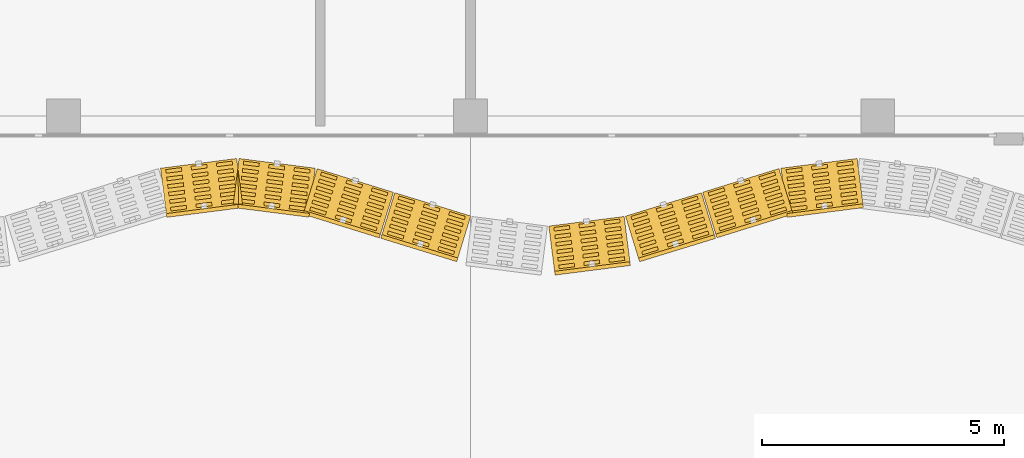
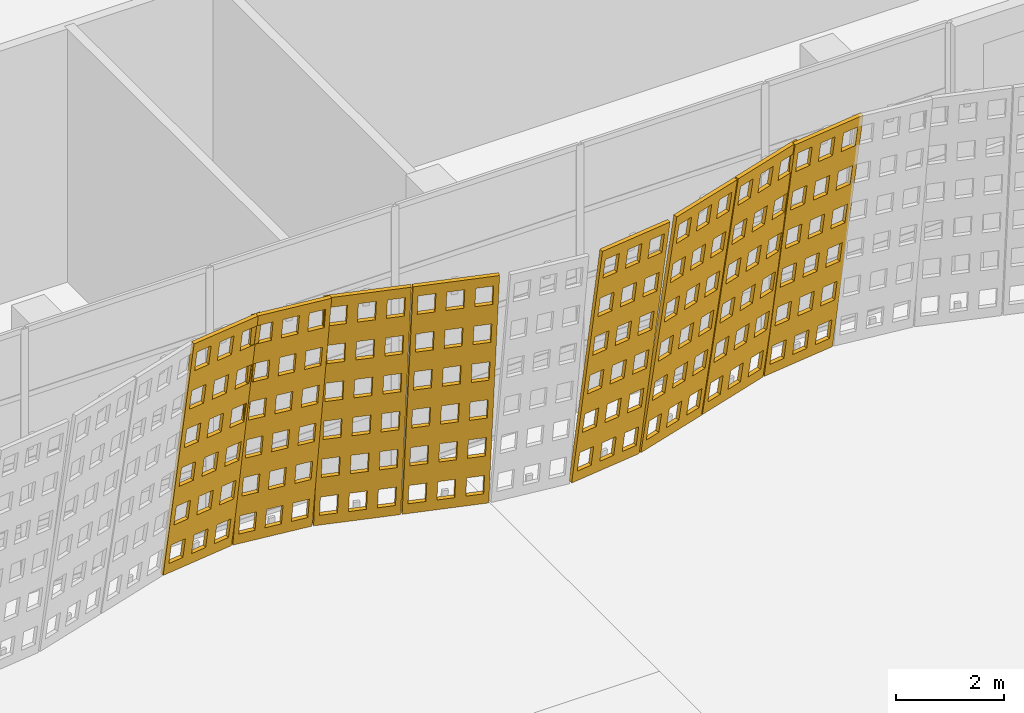
# One storey, part 195 of 210: 8 coverings.
"""IFC4 building model written with IfcOpenShell, lengths in metres."""

from ifc_helpers import new_model, si_unit, direction, frame, origin, place, context, subcontext, project, spatial, polyline, outline, extrude, material, layer, layer_set, type_object, element, save


model = new_model("IFC4")

# Units and contexts
model_context = context("Model", 3, precision=1e-05, world=origin(), true_north=direction((0.0, 1.0)))
body_context = subcontext(model_context, "Body", "Model", "MODEL_VIEW")
ifc_project = project(units=[si_unit("LENGTHUNIT", "METRE"), si_unit("AREAUNIT", "SQUARE_METRE"), si_unit("VOLUMEUNIT", "CUBIC_METRE"), si_unit("PLANEANGLEUNIT", "RADIAN"), si_unit("MASSUNIT", "GRAM", prefix="KILO")], contexts=[model_context])

# Site, building, storey
site_placement = place(None, origin())
site = spatial("IfcSite", under=ifc_project, at=site_placement, CompositionType="ELEMENT")
building_placement = place(site_placement, origin())
building = spatial("IfcBuilding", under=site, at=building_placement, Name="Rain Tree Exposition and Congress Centre", CompositionType="ELEMENT")
storey_placement = place(building_placement, origin())
storey = spatial("IfcBuildingStorey", under=building, at=storey_placement, Name="L00", CompositionType="ELEMENT", Elevation=0.0)

# Coverings
ifc_material = material(Name="Perforated terracotta", Category="masonry")
ifc_layer = layer(ifc_material, 0.080078125)
ifc_layer_set = layer_set([ifc_layer], Name="Perforated terracotta")
covering_type = type_object("IfcCoveringType", Name="Terracotta screen 80", PredefinedType="CLADDING", material=ifc_layer_set)
covering_1_placement = place(storey_placement, frame((228.800048828125, 74.445068359375, 0.0), z_axis=(-0.125405134464, 0.978771781185, 0.162109076259), x_axis=(-0.991891686382, -0.127086122318, 0.0)))
element("IfcCovering", 1, at=covering_1_placement, inside=storey, type_object=covering_type, Name="concourse/screen/L00/144", PredefinedType="CLADDING", context=body_context, shape_type="SweptSolid", body=[
    extrude(outline(polyline([(-0.014892578125, 0.0), (-1.59814453125, 0.0), (-1.59814453125, 5.813720703125), (-0.014892578125, 5.813720703125), (-0.014892578125, 0.0)]), holes=[polyline([(-0.115234375, 0.25), (-0.115234375, 0.718994140625), (-0.4423828125, 0.718994140625), (-0.4423828125, 0.25), (-0.115234375, 0.25)]), polyline([(-0.115234375, 1.218994140625), (-0.115234375, 1.687744140625), (-0.4423828125, 1.687744140625), (-0.4423828125, 1.218994140625), (-0.115234375, 1.218994140625)]), polyline([(-0.115234375, 2.18798828125), (-0.115234375, 2.65673828125), (-0.4423828125, 2.65673828125), (-0.4423828125, 2.18798828125), (-0.115234375, 2.18798828125)]), polyline([(-0.115234375, 3.156982421875), (-0.115234375, 3.625732421875), (-0.4423828125, 3.625732421875), (-0.4423828125, 3.156982421875), (-0.115234375, 3.156982421875)]), polyline([(-0.115234375, 4.125732421875), (-0.115234375, 4.594482421875), (-0.4423828125, 4.594482421875), (-0.4423828125, 4.125732421875), (-0.115234375, 4.125732421875)]), polyline([(-0.115234375, 5.0947265625), (-0.115234375, 5.563720703125), (-0.4423828125, 5.563720703125), (-0.4423828125, 5.0947265625), (-0.115234375, 5.0947265625)]), polyline([(-0.64306640625, 0.25), (-0.64306640625, 0.718994140625), (-0.97021484375, 0.718994140625), (-0.97021484375, 0.25), (-0.64306640625, 0.25)]), polyline([(-0.64306640625, 1.218994140625), (-0.64306640625, 1.687744140625), (-0.97021484375, 1.687744140625), (-0.97021484375, 1.218994140625), (-0.64306640625, 1.218994140625)]), polyline([(-0.64306640625, 2.18798828125), (-0.64306640625, 2.65673828125), (-0.97021484375, 2.65673828125), (-0.97021484375, 2.18798828125), (-0.64306640625, 2.18798828125)]), polyline([(-0.64306640625, 3.156982421875), (-0.64306640625, 3.625732421875), (-0.97021484375, 3.625732421875), (-0.97021484375, 3.156982421875), (-0.64306640625, 3.156982421875)]), polyline([(-0.64306640625, 4.125732421875), (-0.64306640625, 4.594482421875), (-0.97021484375, 4.594482421875), (-0.97021484375, 4.125732421875), (-0.64306640625, 4.125732421875)]), polyline([(-0.64306640625, 5.0947265625), (-0.64306640625, 5.563720703125), (-0.97021484375, 5.563720703125), (-0.97021484375, 5.0947265625), (-0.64306640625, 5.0947265625)]), polyline([(-1.170654296875, 0.25), (-1.170654296875, 0.718994140625), (-1.497802734375, 0.718994140625), (-1.497802734375, 0.25), (-1.170654296875, 0.25)]), polyline([(-1.170654296875, 1.218994140625), (-1.170654296875, 1.687744140625), (-1.497802734375, 1.687744140625), (-1.497802734375, 1.218994140625), (-1.170654296875, 1.218994140625)]), polyline([(-1.170654296875, 2.18798828125), (-1.170654296875, 2.65673828125), (-1.497802734375, 2.65673828125), (-1.497802734375, 2.18798828125), (-1.170654296875, 2.18798828125)]), polyline([(-1.170654296875, 3.156982421875), (-1.170654296875, 3.625732421875), (-1.497802734375, 3.625732421875), (-1.497802734375, 3.156982421875), (-1.170654296875, 3.156982421875)]), polyline([(-1.170654296875, 4.125732421875), (-1.170654296875, 4.594482421875), (-1.497802734375, 4.594482421875), (-1.497802734375, 4.125732421875), (-1.170654296875, 4.125732421875)]), polyline([(-1.170654296875, 5.0947265625), (-1.170654296875, 5.563720703125), (-1.497802734375, 5.563720703125), (-1.497802734375, 5.0947265625), (-1.170654296875, 5.0947265625)])]), origin(), (0.0, 0.0, 1.0), 0.079833984375),
])
covering_2_placement = place(storey_placement, frame((230.39990234375, 74.64990234375, 0.0), z_axis=(0.125030801275, 0.978899688033, 0.161625182136), x_axis=(-0.991941518713, 0.126696580272, 0.0)))
element("IfcCovering", 2, at=covering_2_placement, inside=storey, type_object=covering_type, Name="concourse/screen/L00/145", PredefinedType="CLADDING", context=body_context, shape_type="SweptSolid", body=[
    extrude(outline(polyline([(-0.014892578125, 0.0), (-1.59814453125, 0.0), (-1.59814453125, 5.813720703125), (-0.014892578125, 5.813720703125), (-0.014892578125, 0.0)]), holes=[polyline([(-0.115234375, 0.25), (-0.115234375, 0.718994140625), (-0.4423828125, 0.718994140625), (-0.4423828125, 0.25), (-0.115234375, 0.25)]), polyline([(-0.115234375, 1.218994140625), (-0.115234375, 1.687744140625), (-0.4423828125, 1.687744140625), (-0.4423828125, 1.218994140625), (-0.115234375, 1.218994140625)]), polyline([(-0.115234375, 2.18798828125), (-0.115234375, 2.65673828125), (-0.4423828125, 2.65673828125), (-0.4423828125, 2.18798828125), (-0.115234375, 2.18798828125)]), polyline([(-0.115234375, 3.156982421875), (-0.115234375, 3.625732421875), (-0.4423828125, 3.625732421875), (-0.4423828125, 3.156982421875), (-0.115234375, 3.156982421875)]), polyline([(-0.115234375, 4.125732421875), (-0.115234375, 4.594482421875), (-0.4423828125, 4.594482421875), (-0.4423828125, 4.125732421875), (-0.115234375, 4.125732421875)]), polyline([(-0.115234375, 5.0947265625), (-0.115234375, 5.563720703125), (-0.4423828125, 5.563720703125), (-0.4423828125, 5.0947265625), (-0.115234375, 5.0947265625)]), polyline([(-0.64306640625, 0.25), (-0.64306640625, 0.718994140625), (-0.97021484375, 0.718994140625), (-0.97021484375, 0.25), (-0.64306640625, 0.25)]), polyline([(-0.64306640625, 1.218994140625), (-0.64306640625, 1.687744140625), (-0.97021484375, 1.687744140625), (-0.97021484375, 1.218994140625), (-0.64306640625, 1.218994140625)]), polyline([(-0.64306640625, 2.18798828125), (-0.64306640625, 2.65673828125), (-0.97021484375, 2.65673828125), (-0.97021484375, 2.18798828125), (-0.64306640625, 2.18798828125)]), polyline([(-0.64306640625, 3.156982421875), (-0.64306640625, 3.625732421875), (-0.97021484375, 3.625732421875), (-0.97021484375, 3.156982421875), (-0.64306640625, 3.156982421875)]), polyline([(-0.64306640625, 4.125732421875), (-0.64306640625, 4.594482421875), (-0.97021484375, 4.594482421875), (-0.97021484375, 4.125732421875), (-0.64306640625, 4.125732421875)]), polyline([(-0.64306640625, 5.0947265625), (-0.64306640625, 5.563720703125), (-0.97021484375, 5.563720703125), (-0.97021484375, 5.0947265625), (-0.64306640625, 5.0947265625)]), polyline([(-1.170654296875, 0.25), (-1.170654296875, 0.718994140625), (-1.497802734375, 0.718994140625), (-1.497802734375, 0.25), (-1.170654296875, 0.25)]), polyline([(-1.170654296875, 1.218994140625), (-1.170654296875, 1.687744140625), (-1.497802734375, 1.687744140625), (-1.497802734375, 1.218994140625), (-1.170654296875, 1.218994140625)]), polyline([(-1.170654296875, 2.18798828125), (-1.170654296875, 2.65673828125), (-1.497802734375, 2.65673828125), (-1.497802734375, 2.18798828125), (-1.170654296875, 2.18798828125)]), polyline([(-1.170654296875, 3.156982421875), (-1.170654296875, 3.625732421875), (-1.497802734375, 3.625732421875), (-1.497802734375, 3.156982421875), (-1.170654296875, 3.156982421875)]), polyline([(-1.170654296875, 4.125732421875), (-1.170654296875, 4.594482421875), (-1.497802734375, 4.594482421875), (-1.497802734375, 4.125732421875), (-1.170654296875, 4.125732421875)]), polyline([(-1.170654296875, 5.0947265625), (-1.170654296875, 5.563720703125), (-1.497802734375, 5.563720703125), (-1.497802734375, 5.0947265625), (-1.170654296875, 5.0947265625)])]), origin(), (0.0, 0.0, 1.0), 0.080078125),
])
covering_3_placement = place(storey_placement, frame((232.0, 74.445068359375, 0.0), z_axis=(0.293072736571, 0.943327870838, 0.155694891303), x_axis=(-0.954973588716, 0.296690823679, 0.0)))
element("IfcCovering", 3, at=covering_3_placement, inside=storey, type_object=covering_type, Name="concourse/screen/L00/146", PredefinedType="CLADDING", context=body_context, shape_type="SweptSolid", body=[
    extrude(outline(polyline([(-0.014892578125, 0.0), (-1.659912109375, 0.0), (-1.659912109375, 5.80859375), (-0.014892578125, 5.80859375), (-0.014892578125, 0.0)]), holes=[polyline([(-0.119140625, 0.249755859375), (-0.119140625, 0.71826171875), (-0.458984375, 0.71826171875), (-0.458984375, 0.249755859375), (-0.119140625, 0.249755859375)]), polyline([(-0.119140625, 1.218017578125), (-0.119140625, 1.686279296875), (-0.458984375, 1.686279296875), (-0.458984375, 1.218017578125), (-0.119140625, 1.218017578125)]), polyline([(-0.119140625, 2.18603515625), (-0.119140625, 2.654541015625), (-0.458984375, 2.654541015625), (-0.458984375, 2.18603515625), (-0.119140625, 2.18603515625)]), polyline([(-0.119140625, 3.154052734375), (-0.119140625, 3.62255859375), (-0.458984375, 3.62255859375), (-0.458984375, 3.154052734375), (-0.119140625, 3.154052734375)]), polyline([(-0.119140625, 4.122314453125), (-0.119140625, 4.5908203125), (-0.458984375, 4.5908203125), (-0.458984375, 4.122314453125), (-0.119140625, 4.122314453125)]), polyline([(-0.119140625, 5.09033203125), (-0.119140625, 5.558837890625), (-0.458984375, 5.558837890625), (-0.458984375, 5.09033203125), (-0.119140625, 5.09033203125)]), polyline([(-0.66748046875, 0.249755859375), (-0.66748046875, 0.71826171875), (-1.00732421875, 0.71826171875), (-1.00732421875, 0.249755859375), (-0.66748046875, 0.249755859375)]), polyline([(-0.66748046875, 1.218017578125), (-0.66748046875, 1.686279296875), (-1.00732421875, 1.686279296875), (-1.00732421875, 1.218017578125), (-0.66748046875, 1.218017578125)]), polyline([(-0.66748046875, 2.18603515625), (-0.66748046875, 2.654541015625), (-1.00732421875, 2.654541015625), (-1.00732421875, 2.18603515625), (-0.66748046875, 2.18603515625)]), polyline([(-0.66748046875, 3.154052734375), (-0.66748046875, 3.62255859375), (-1.00732421875, 3.62255859375), (-1.00732421875, 3.154052734375), (-0.66748046875, 3.154052734375)]), polyline([(-0.66748046875, 4.122314453125), (-0.66748046875, 4.5908203125), (-1.00732421875, 4.5908203125), (-1.00732421875, 4.122314453125), (-0.66748046875, 4.122314453125)]), polyline([(-0.66748046875, 5.09033203125), (-0.66748046875, 5.558837890625), (-1.00732421875, 5.558837890625), (-1.00732421875, 5.09033203125), (-0.66748046875, 5.09033203125)]), polyline([(-1.2158203125, 0.249755859375), (-1.2158203125, 0.71826171875), (-1.5556640625, 0.71826171875), (-1.5556640625, 0.249755859375), (-1.2158203125, 0.249755859375)]), polyline([(-1.2158203125, 1.218017578125), (-1.2158203125, 1.686279296875), (-1.5556640625, 1.686279296875), (-1.5556640625, 1.218017578125), (-1.2158203125, 1.218017578125)]), polyline([(-1.2158203125, 2.18603515625), (-1.2158203125, 2.654541015625), (-1.5556640625, 2.654541015625), (-1.5556640625, 2.18603515625), (-1.2158203125, 2.18603515625)]), polyline([(-1.2158203125, 3.154052734375), (-1.2158203125, 3.62255859375), (-1.5556640625, 3.62255859375), (-1.5556640625, 3.154052734375), (-1.2158203125, 3.154052734375)]), polyline([(-1.2158203125, 4.122314453125), (-1.2158203125, 4.5908203125), (-1.5556640625, 4.5908203125), (-1.5556640625, 4.122314453125), (-1.2158203125, 4.122314453125)]), polyline([(-1.2158203125, 5.09033203125), (-1.2158203125, 5.558837890625), (-1.5556640625, 5.558837890625), (-1.5556640625, 5.09033203125), (-1.2158203125, 5.09033203125)])]), origin(), (0.0, 0.0, 1.0), 0.080078125),
])
covering_4_placement = place(storey_placement, frame((233.60009765625, 73.949951171875, 0.0), z_axis=(0.290278371326, 0.94416859726, 0.155833651975), x_axis=(-0.955845867297, 0.293868470528, 0.0)))
element("IfcCovering", 4, at=covering_4_placement, inside=storey, type_object=covering_type, Name="concourse/screen/L00/147", PredefinedType="CLADDING", context=body_context, shape_type="SweptSolid", body=[
    extrude(outline(polyline([(-0.014892578125, 0.0), (-1.65283203125, 0.0), (-1.65283203125, 5.80859375), (-0.014892578125, 5.80859375), (-0.014892578125, 0.0)]), holes=[polyline([(-0.11865234375, 0.249755859375), (-0.11865234375, 0.71826171875), (-0.457275390625, 0.71826171875), (-0.457275390625, 0.249755859375), (-0.11865234375, 0.249755859375)]), polyline([(-0.11865234375, 1.218017578125), (-0.11865234375, 1.686279296875), (-0.457275390625, 1.686279296875), (-0.457275390625, 1.218017578125), (-0.11865234375, 1.218017578125)]), polyline([(-0.11865234375, 2.18603515625), (-0.11865234375, 2.654541015625), (-0.457275390625, 2.654541015625), (-0.457275390625, 2.18603515625), (-0.11865234375, 2.18603515625)]), polyline([(-0.11865234375, 3.154052734375), (-0.11865234375, 3.62255859375), (-0.457275390625, 3.62255859375), (-0.457275390625, 3.154052734375), (-0.11865234375, 3.154052734375)]), polyline([(-0.11865234375, 4.122314453125), (-0.11865234375, 4.5908203125), (-0.457275390625, 4.5908203125), (-0.457275390625, 4.122314453125), (-0.11865234375, 4.122314453125)]), polyline([(-0.11865234375, 5.09033203125), (-0.11865234375, 5.558837890625), (-0.457275390625, 5.558837890625), (-0.457275390625, 5.09033203125), (-0.11865234375, 5.09033203125)]), polyline([(-0.664794921875, 0.249755859375), (-0.664794921875, 0.71826171875), (-1.003173828125, 0.71826171875), (-1.003173828125, 0.249755859375), (-0.664794921875, 0.249755859375)]), polyline([(-0.664794921875, 1.218017578125), (-0.664794921875, 1.686279296875), (-1.003173828125, 1.686279296875), (-1.003173828125, 1.218017578125), (-0.664794921875, 1.218017578125)]), polyline([(-0.664794921875, 2.18603515625), (-0.664794921875, 2.654541015625), (-1.003173828125, 2.654541015625), (-1.003173828125, 2.18603515625), (-0.664794921875, 2.18603515625)]), polyline([(-0.664794921875, 3.154052734375), (-0.664794921875, 3.62255859375), (-1.003173828125, 3.62255859375), (-1.003173828125, 3.154052734375), (-0.664794921875, 3.154052734375)]), polyline([(-0.664794921875, 4.122314453125), (-0.664794921875, 4.5908203125), (-1.003173828125, 4.5908203125), (-1.003173828125, 4.122314453125), (-0.664794921875, 4.122314453125)]), polyline([(-0.664794921875, 5.09033203125), (-0.664794921875, 5.558837890625), (-1.003173828125, 5.558837890625), (-1.003173828125, 5.09033203125), (-0.664794921875, 5.09033203125)]), polyline([(-1.210693359375, 0.249755859375), (-1.210693359375, 0.71826171875), (-1.54931640625, 0.71826171875), (-1.54931640625, 0.249755859375), (-1.210693359375, 0.249755859375)]), polyline([(-1.210693359375, 1.218017578125), (-1.210693359375, 1.686279296875), (-1.54931640625, 1.686279296875), (-1.54931640625, 1.218017578125), (-1.210693359375, 1.218017578125)]), polyline([(-1.210693359375, 2.18603515625), (-1.210693359375, 2.654541015625), (-1.54931640625, 2.654541015625), (-1.54931640625, 2.18603515625), (-1.210693359375, 2.18603515625)]), polyline([(-1.210693359375, 3.154052734375), (-1.210693359375, 3.62255859375), (-1.54931640625, 3.62255859375), (-1.54931640625, 3.154052734375), (-1.210693359375, 3.154052734375)]), polyline([(-1.210693359375, 4.122314453125), (-1.210693359375, 4.5908203125), (-1.54931640625, 4.5908203125), (-1.54931640625, 4.122314453125), (-1.210693359375, 4.122314453125)]), polyline([(-1.210693359375, 5.09033203125), (-1.210693359375, 5.558837890625), (-1.54931640625, 5.558837890625), (-1.54931640625, 5.09033203125), (-1.210693359375, 5.09033203125)])]), origin(), (0.0, 0.0, 1.0), 0.079833984375),
])
covering_5_placement = place(storey_placement, frame((236.800048828125, 73.25, 0.0), z_axis=(-0.125030801275, 0.978899688033, 0.161625182136), x_axis=(-0.991941518713, -0.126696580272, 0.0)))
element("IfcCovering", 5, at=covering_5_placement, inside=storey, type_object=covering_type, Name="concourse/screen/L00/149", PredefinedType="CLADDING", context=body_context, shape_type="SweptSolid", body=[
    extrude(outline(polyline([(-0.025146484375, 0.0), (-1.59130859375, 0.0), (-1.59130859375, 5.813720703125), (-0.025146484375, 5.813720703125), (-0.025146484375, 0.0)]), holes=[polyline([(-0.12451171875, 0.25), (-0.12451171875, 0.718994140625), (-0.447998046875, 0.718994140625), (-0.447998046875, 0.25), (-0.12451171875, 0.25)]), polyline([(-0.12451171875, 1.218994140625), (-0.12451171875, 1.687744140625), (-0.447998046875, 1.687744140625), (-0.447998046875, 1.218994140625), (-0.12451171875, 1.218994140625)]), polyline([(-0.12451171875, 2.18798828125), (-0.12451171875, 2.65673828125), (-0.447998046875, 2.65673828125), (-0.447998046875, 2.18798828125), (-0.12451171875, 2.18798828125)]), polyline([(-0.12451171875, 3.156982421875), (-0.12451171875, 3.625732421875), (-0.447998046875, 3.625732421875), (-0.447998046875, 3.156982421875), (-0.12451171875, 3.156982421875)]), polyline([(-0.12451171875, 4.125732421875), (-0.12451171875, 4.594482421875), (-0.447998046875, 4.594482421875), (-0.447998046875, 4.125732421875), (-0.12451171875, 4.125732421875)]), polyline([(-0.12451171875, 5.0947265625), (-0.12451171875, 5.563720703125), (-0.447998046875, 5.563720703125), (-0.447998046875, 5.0947265625), (-0.12451171875, 5.0947265625)]), polyline([(-0.646484375, 0.25), (-0.646484375, 0.718994140625), (-0.969970703125, 0.718994140625), (-0.969970703125, 0.25), (-0.646484375, 0.25)]), polyline([(-0.646484375, 1.218994140625), (-0.646484375, 1.687744140625), (-0.969970703125, 1.687744140625), (-0.969970703125, 1.218994140625), (-0.646484375, 1.218994140625)]), polyline([(-0.646484375, 2.18798828125), (-0.646484375, 2.65673828125), (-0.969970703125, 2.65673828125), (-0.969970703125, 2.18798828125), (-0.646484375, 2.18798828125)]), polyline([(-0.646484375, 3.156982421875), (-0.646484375, 3.625732421875), (-0.969970703125, 3.625732421875), (-0.969970703125, 3.156982421875), (-0.646484375, 3.156982421875)]), polyline([(-0.646484375, 4.125732421875), (-0.646484375, 4.594482421875), (-0.969970703125, 4.594482421875), (-0.969970703125, 4.125732421875), (-0.646484375, 4.125732421875)]), polyline([(-0.646484375, 5.0947265625), (-0.646484375, 5.563720703125), (-0.969970703125, 5.563720703125), (-0.969970703125, 5.0947265625), (-0.646484375, 5.0947265625)]), polyline([(-1.16845703125, 0.25), (-1.16845703125, 0.718994140625), (-1.491943359375, 0.718994140625), (-1.491943359375, 0.25), (-1.16845703125, 0.25)]), polyline([(-1.16845703125, 1.218994140625), (-1.16845703125, 1.687744140625), (-1.491943359375, 1.687744140625), (-1.491943359375, 1.218994140625), (-1.16845703125, 1.218994140625)]), polyline([(-1.16845703125, 2.18798828125), (-1.16845703125, 2.65673828125), (-1.491943359375, 2.65673828125), (-1.491943359375, 2.18798828125), (-1.16845703125, 2.18798828125)]), polyline([(-1.16845703125, 3.156982421875), (-1.16845703125, 3.625732421875), (-1.491943359375, 3.625732421875), (-1.491943359375, 3.156982421875), (-1.16845703125, 3.156982421875)]), polyline([(-1.16845703125, 4.125732421875), (-1.16845703125, 4.594482421875), (-1.491943359375, 4.594482421875), (-1.491943359375, 4.125732421875), (-1.16845703125, 4.125732421875)]), polyline([(-1.16845703125, 5.0947265625), (-1.16845703125, 5.563720703125), (-1.491943359375, 5.563720703125), (-1.491943359375, 5.0947265625), (-1.16845703125, 5.0947265625)])]), origin(), (0.0, 0.0, 1.0), 0.080078125),
])
covering_6_placement = place(storey_placement, frame((238.39990234375, 73.455078125, 0.0), z_axis=(-0.290278371326, 0.94416859726, 0.155833651975), x_axis=(-0.955845867297, -0.293868470528, 0.0)))
element("IfcCovering", 6, at=covering_6_placement, inside=storey, type_object=covering_type, Name="concourse/screen/L00/150", PredefinedType="CLADDING", context=body_context, shape_type="SweptSolid", body=[
    extrude(outline(polyline([(-0.02197265625, 0.0), (-1.659912109375, 0.0), (-1.659912109375, 5.80859375), (-0.02197265625, 5.80859375), (-0.02197265625, 0.0)]), holes=[polyline([(-0.125732421875, 0.249755859375), (-0.125732421875, 0.71826171875), (-0.464111328125, 0.71826171875), (-0.464111328125, 0.249755859375), (-0.125732421875, 0.249755859375)]), polyline([(-0.125732421875, 1.218017578125), (-0.125732421875, 1.686279296875), (-0.464111328125, 1.686279296875), (-0.464111328125, 1.218017578125), (-0.125732421875, 1.218017578125)]), polyline([(-0.125732421875, 2.18603515625), (-0.125732421875, 2.654541015625), (-0.464111328125, 2.654541015625), (-0.464111328125, 2.18603515625), (-0.125732421875, 2.18603515625)]), polyline([(-0.125732421875, 3.154052734375), (-0.125732421875, 3.62255859375), (-0.464111328125, 3.62255859375), (-0.464111328125, 3.154052734375), (-0.125732421875, 3.154052734375)]), polyline([(-0.125732421875, 4.122314453125), (-0.125732421875, 4.5908203125), (-0.464111328125, 4.5908203125), (-0.464111328125, 4.122314453125), (-0.125732421875, 4.122314453125)]), polyline([(-0.125732421875, 5.09033203125), (-0.125732421875, 5.558837890625), (-0.464111328125, 5.558837890625), (-0.464111328125, 5.09033203125), (-0.125732421875, 5.09033203125)]), polyline([(-0.671630859375, 0.249755859375), (-0.671630859375, 0.71826171875), (-1.010009765625, 0.71826171875), (-1.010009765625, 0.249755859375), (-0.671630859375, 0.249755859375)]), polyline([(-0.671630859375, 1.218017578125), (-0.671630859375, 1.686279296875), (-1.010009765625, 1.686279296875), (-1.010009765625, 1.218017578125), (-0.671630859375, 1.218017578125)]), polyline([(-0.671630859375, 2.18603515625), (-0.671630859375, 2.654541015625), (-1.010009765625, 2.654541015625), (-1.010009765625, 2.18603515625), (-0.671630859375, 2.18603515625)]), polyline([(-0.671630859375, 3.154052734375), (-0.671630859375, 3.62255859375), (-1.010009765625, 3.62255859375), (-1.010009765625, 3.154052734375), (-0.671630859375, 3.154052734375)]), polyline([(-0.671630859375, 4.122314453125), (-0.671630859375, 4.5908203125), (-1.010009765625, 4.5908203125), (-1.010009765625, 4.122314453125), (-0.671630859375, 4.122314453125)]), polyline([(-0.671630859375, 5.09033203125), (-0.671630859375, 5.558837890625), (-1.010009765625, 5.558837890625), (-1.010009765625, 5.09033203125), (-0.671630859375, 5.09033203125)]), polyline([(-1.217529296875, 0.249755859375), (-1.217529296875, 0.71826171875), (-1.55615234375, 0.71826171875), (-1.55615234375, 0.249755859375), (-1.217529296875, 0.249755859375)]), polyline([(-1.217529296875, 1.218017578125), (-1.217529296875, 1.686279296875), (-1.55615234375, 1.686279296875), (-1.55615234375, 1.218017578125), (-1.217529296875, 1.218017578125)]), polyline([(-1.217529296875, 2.18603515625), (-1.217529296875, 2.654541015625), (-1.55615234375, 2.654541015625), (-1.55615234375, 2.18603515625), (-1.217529296875, 2.18603515625)]), polyline([(-1.217529296875, 3.154052734375), (-1.217529296875, 3.62255859375), (-1.55615234375, 3.62255859375), (-1.55615234375, 3.154052734375), (-1.217529296875, 3.154052734375)]), polyline([(-1.217529296875, 4.122314453125), (-1.217529296875, 4.5908203125), (-1.55615234375, 4.5908203125), (-1.55615234375, 4.122314453125), (-1.217529296875, 4.122314453125)]), polyline([(-1.217529296875, 5.09033203125), (-1.217529296875, 5.558837890625), (-1.55615234375, 5.558837890625), (-1.55615234375, 5.09033203125), (-1.217529296875, 5.09033203125)])]), origin(), (0.0, 0.0, 1.0), 0.079833984375),
])
covering_7_placement = place(storey_placement, frame((240.0, 73.949951171875, 0.0), z_axis=(-0.293072736571, 0.943327870838, 0.155694891303), x_axis=(-0.954973588716, -0.296690823679, 0.0)))
element("IfcCovering", 7, at=covering_7_placement, inside=storey, type_object=covering_type, Name="concourse/screen/L00/151", PredefinedType="CLADDING", context=body_context, shape_type="SweptSolid", body=[
    extrude(outline(polyline([(-0.014892578125, 0.0), (-1.659912109375, 0.0), (-1.659912109375, 5.80859375), (-0.014892578125, 5.80859375), (-0.014892578125, 0.0)]), holes=[polyline([(-0.119140625, 0.249755859375), (-0.119140625, 0.71826171875), (-0.458984375, 0.71826171875), (-0.458984375, 0.249755859375), (-0.119140625, 0.249755859375)]), polyline([(-0.119140625, 1.218017578125), (-0.119140625, 1.686279296875), (-0.458984375, 1.686279296875), (-0.458984375, 1.218017578125), (-0.119140625, 1.218017578125)]), polyline([(-0.119140625, 2.18603515625), (-0.119140625, 2.654541015625), (-0.458984375, 2.654541015625), (-0.458984375, 2.18603515625), (-0.119140625, 2.18603515625)]), polyline([(-0.119140625, 3.154052734375), (-0.119140625, 3.62255859375), (-0.458984375, 3.62255859375), (-0.458984375, 3.154052734375), (-0.119140625, 3.154052734375)]), polyline([(-0.119140625, 4.122314453125), (-0.119140625, 4.5908203125), (-0.458984375, 4.5908203125), (-0.458984375, 4.122314453125), (-0.119140625, 4.122314453125)]), polyline([(-0.119140625, 5.09033203125), (-0.119140625, 5.558837890625), (-0.458984375, 5.558837890625), (-0.458984375, 5.09033203125), (-0.119140625, 5.09033203125)]), polyline([(-0.66748046875, 0.249755859375), (-0.66748046875, 0.71826171875), (-1.00732421875, 0.71826171875), (-1.00732421875, 0.249755859375), (-0.66748046875, 0.249755859375)]), polyline([(-0.66748046875, 1.218017578125), (-0.66748046875, 1.686279296875), (-1.00732421875, 1.686279296875), (-1.00732421875, 1.218017578125), (-0.66748046875, 1.218017578125)]), polyline([(-0.66748046875, 2.18603515625), (-0.66748046875, 2.654541015625), (-1.00732421875, 2.654541015625), (-1.00732421875, 2.18603515625), (-0.66748046875, 2.18603515625)]), polyline([(-0.66748046875, 3.154052734375), (-0.66748046875, 3.62255859375), (-1.00732421875, 3.62255859375), (-1.00732421875, 3.154052734375), (-0.66748046875, 3.154052734375)]), polyline([(-0.66748046875, 4.122314453125), (-0.66748046875, 4.5908203125), (-1.00732421875, 4.5908203125), (-1.00732421875, 4.122314453125), (-0.66748046875, 4.122314453125)]), polyline([(-0.66748046875, 5.09033203125), (-0.66748046875, 5.558837890625), (-1.00732421875, 5.558837890625), (-1.00732421875, 5.09033203125), (-0.66748046875, 5.09033203125)]), polyline([(-1.2158203125, 0.249755859375), (-1.2158203125, 0.71826171875), (-1.5556640625, 0.71826171875), (-1.5556640625, 0.249755859375), (-1.2158203125, 0.249755859375)]), polyline([(-1.2158203125, 1.218017578125), (-1.2158203125, 1.686279296875), (-1.5556640625, 1.686279296875), (-1.5556640625, 1.218017578125), (-1.2158203125, 1.218017578125)]), polyline([(-1.2158203125, 2.18603515625), (-1.2158203125, 2.654541015625), (-1.5556640625, 2.654541015625), (-1.5556640625, 2.18603515625), (-1.2158203125, 2.18603515625)]), polyline([(-1.2158203125, 3.154052734375), (-1.2158203125, 3.62255859375), (-1.5556640625, 3.62255859375), (-1.5556640625, 3.154052734375), (-1.2158203125, 3.154052734375)]), polyline([(-1.2158203125, 4.122314453125), (-1.2158203125, 4.5908203125), (-1.5556640625, 4.5908203125), (-1.5556640625, 4.122314453125), (-1.2158203125, 4.122314453125)]), polyline([(-1.2158203125, 5.09033203125), (-1.2158203125, 5.558837890625), (-1.5556640625, 5.558837890625), (-1.5556640625, 5.09033203125), (-1.2158203125, 5.09033203125)])]), origin(), (0.0, 0.0, 1.0), 0.080078125),
])
covering_8_placement = place(storey_placement, frame((241.60009765625, 74.445068359375, 0.0), z_axis=(-0.125405134464, 0.978771781185, 0.162109076259), x_axis=(-0.991891686382, -0.127086122318, 0.0)))
element("IfcCovering", 8, at=covering_8_placement, inside=storey, type_object=covering_type, Name="concourse/screen/L00/152", PredefinedType="CLADDING", context=body_context, shape_type="SweptSolid", body=[
    extrude(outline(polyline([(-0.014892578125, 0.0), (-1.59814453125, 0.0), (-1.59814453125, 5.813720703125), (-0.014892578125, 5.813720703125), (-0.014892578125, 0.0)]), holes=[polyline([(-0.115234375, 0.25), (-0.115234375, 0.718994140625), (-0.4423828125, 0.718994140625), (-0.4423828125, 0.25), (-0.115234375, 0.25)]), polyline([(-0.115234375, 1.218994140625), (-0.115234375, 1.687744140625), (-0.4423828125, 1.687744140625), (-0.4423828125, 1.218994140625), (-0.115234375, 1.218994140625)]), polyline([(-0.115234375, 2.18798828125), (-0.115234375, 2.65673828125), (-0.4423828125, 2.65673828125), (-0.4423828125, 2.18798828125), (-0.115234375, 2.18798828125)]), polyline([(-0.115234375, 3.156982421875), (-0.115234375, 3.625732421875), (-0.4423828125, 3.625732421875), (-0.4423828125, 3.156982421875), (-0.115234375, 3.156982421875)]), polyline([(-0.115234375, 4.125732421875), (-0.115234375, 4.594482421875), (-0.4423828125, 4.594482421875), (-0.4423828125, 4.125732421875), (-0.115234375, 4.125732421875)]), polyline([(-0.115234375, 5.0947265625), (-0.115234375, 5.563720703125), (-0.4423828125, 5.563720703125), (-0.4423828125, 5.0947265625), (-0.115234375, 5.0947265625)]), polyline([(-0.64306640625, 0.25), (-0.64306640625, 0.718994140625), (-0.97021484375, 0.718994140625), (-0.97021484375, 0.25), (-0.64306640625, 0.25)]), polyline([(-0.64306640625, 1.218994140625), (-0.64306640625, 1.687744140625), (-0.97021484375, 1.687744140625), (-0.97021484375, 1.218994140625), (-0.64306640625, 1.218994140625)]), polyline([(-0.64306640625, 2.18798828125), (-0.64306640625, 2.65673828125), (-0.97021484375, 2.65673828125), (-0.97021484375, 2.18798828125), (-0.64306640625, 2.18798828125)]), polyline([(-0.64306640625, 3.156982421875), (-0.64306640625, 3.625732421875), (-0.97021484375, 3.625732421875), (-0.97021484375, 3.156982421875), (-0.64306640625, 3.156982421875)]), polyline([(-0.64306640625, 4.125732421875), (-0.64306640625, 4.594482421875), (-0.97021484375, 4.594482421875), (-0.97021484375, 4.125732421875), (-0.64306640625, 4.125732421875)]), polyline([(-0.64306640625, 5.0947265625), (-0.64306640625, 5.563720703125), (-0.97021484375, 5.563720703125), (-0.97021484375, 5.0947265625), (-0.64306640625, 5.0947265625)]), polyline([(-1.170654296875, 0.25), (-1.170654296875, 0.718994140625), (-1.497802734375, 0.718994140625), (-1.497802734375, 0.25), (-1.170654296875, 0.25)]), polyline([(-1.170654296875, 1.218994140625), (-1.170654296875, 1.687744140625), (-1.497802734375, 1.687744140625), (-1.497802734375, 1.218994140625), (-1.170654296875, 1.218994140625)]), polyline([(-1.170654296875, 2.18798828125), (-1.170654296875, 2.65673828125), (-1.497802734375, 2.65673828125), (-1.497802734375, 2.18798828125), (-1.170654296875, 2.18798828125)]), polyline([(-1.170654296875, 3.156982421875), (-1.170654296875, 3.625732421875), (-1.497802734375, 3.625732421875), (-1.497802734375, 3.156982421875), (-1.170654296875, 3.156982421875)]), polyline([(-1.170654296875, 4.125732421875), (-1.170654296875, 4.594482421875), (-1.497802734375, 4.594482421875), (-1.497802734375, 4.125732421875), (-1.170654296875, 4.125732421875)]), polyline([(-1.170654296875, 5.0947265625), (-1.170654296875, 5.563720703125), (-1.497802734375, 5.563720703125), (-1.497802734375, 5.0947265625), (-1.170654296875, 5.0947265625)])]), origin(), (0.0, 0.0, 1.0), 0.079833984375),
])

save(model, "model.ifc")
